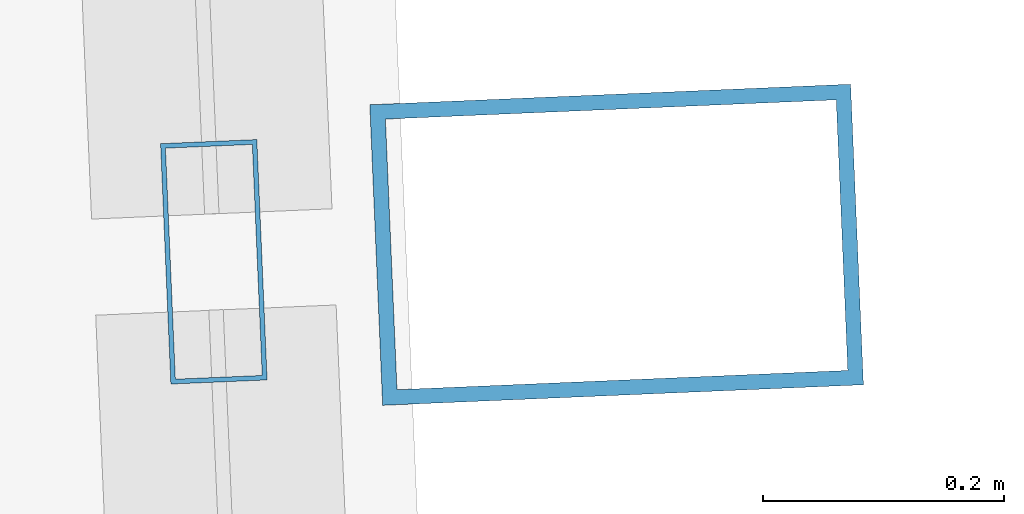
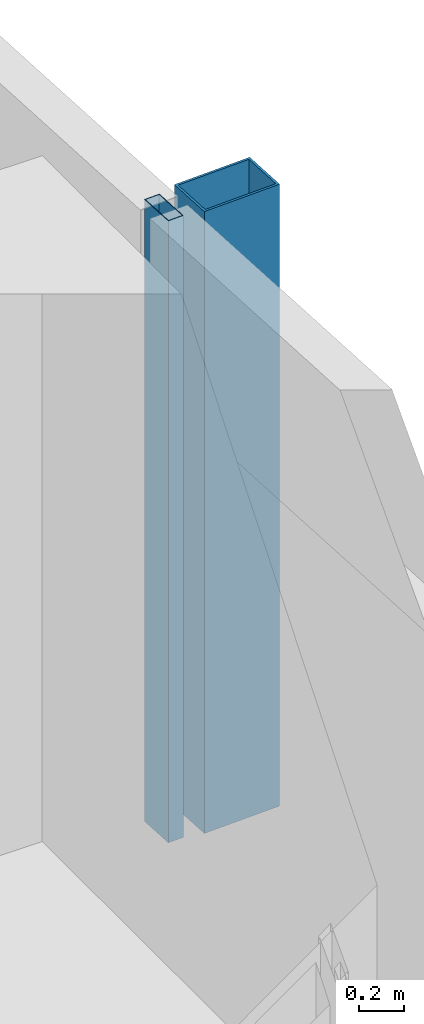
# One storey, part 29 of 44: 2 members, 1 element without a shape of its own.
"""IFC4 building model written with IfcOpenShell, lengths in metres."""

from ifc_helpers import new_model, si_unit, direction, frame, origin, origin_2d, place, context, subcontext, project, spatial, hollow_rectangle, extrude, material, material_profile, profile_set, type_object, element, aggregate, save


model = new_model("IFC4")

# Units and contexts
model_context = context("Model", 3, precision=1e-05, world=origin(), true_north=direction((0.0, 1.0)))
body_context = subcontext(model_context, "Body", "Model", "MODEL_VIEW")
ifc_project = project(units=[si_unit("LENGTHUNIT", "METRE"), si_unit("AREAUNIT", "SQUARE_METRE"), si_unit("VOLUMEUNIT", "CUBIC_METRE"), si_unit("PLANEANGLEUNIT", "RADIAN"), si_unit("MASSUNIT", "GRAM", prefix="KILO")], contexts=[model_context])

# Site, building, storey
site_placement = place(None, origin())
site = spatial("IfcSite", under=ifc_project, at=site_placement, CompositionType="ELEMENT")
building_placement = place(site_placement, origin())
building = spatial("IfcBuilding", under=site, at=building_placement, Name="Rekha Terrace Tower", CompositionType="ELEMENT")
storey_placement = place(building_placement, frame((0.0, 0.0, 81.64990234375)))
storey = spatial("IfcBuildingStorey", under=building, at=storey_placement, Name="L20", CompositionType="ELEMENT", Elevation=81.64990234375)

# Curtain wall, members
ifc_material_1 = material(Name="Aluminium framing", Category="aluminium")
curtain_wall_type = type_object("IfcCurtainWallType", Name="CW2 double skin outer glazing", PredefinedType="USERDEFINED", material=ifc_material_1)
curtain_wall_placement = place(storey_placement, origin())
curtain_wall = element("IfcCurtainWall", 1, at=curtain_wall_placement, inside=storey, type_object=curtain_wall_type, Name="CW2 double skin outer glazing", ObjectType="DOUBLE SKIN OUTER GLAZING", PredefinedType="USERDEFINED")
ifc_material_2 = material(Name="Steel S355 with fluorocarbon finish", Category="steel")
ifc_material_profile_1 = material_profile(ifc_material_2, hollow_rectangle(XDim=0.25, YDim=0.39990234375, WallThickness=0.012451171875, at=origin_2d()), Name="RHS400x250x12.5")
ifc_profile_set_1 = profile_set([ifc_material_profile_1], Name="Steel S355 with fluorocarbon finish")
member_type_1 = type_object("IfcMemberType", Name="BL1 facade blade RHS 400 x 250", PredefinedType="USERDEFINED", material=ifc_profile_set_1)
member_1_placement = place(storey_placement, frame((69.554443359375, 51.724609375, 0.0), z_axis=(0.0, 0.0, 1.0), x_axis=(-0.04269522475, 0.99908814315, 0.0)))
member_1 = element("IfcMember", 2, at=member_1_placement, type_object=member_type_1, Name="Facade blade", ObjectType="FACADE BLADE", PredefinedType="USERDEFINED", context=body_context, shape_type="SweptSolid", body=[
    extrude(hollow_rectangle(XDim=0.25, YDim=0.39990234375, WallThickness=0.012451171875, at=origin_2d()), origin(), (0.0, 0.0, 1.0), 3.400146484375),
])
ifc_material_3 = material(Name="Aluminium mullion section", Category="aluminium")
ifc_material_profile_2 = material_profile(ifc_material_3, hollow_rectangle(XDim=0.080078125, YDim=0.199951171875, WallThickness=0.00390625, at=origin_2d()), Name="AL RHS 80x200")
ifc_profile_set_2 = profile_set([ifc_material_profile_2], Name="Aluminium mullion section")
member_type_2 = type_object("IfcMemberType", Name="CW2 mullion RHS 80 x 200", PredefinedType="MULLION", material=ifc_profile_set_2)
member_2_placement = place(storey_placement, frame((69.2197265625, 51.71044921875, 0.0), z_axis=(0.0, 0.0, 1.0), x_axis=(-0.999088106903, -0.042696072956, 0.0)))
member_2 = element("IfcMember", 3, at=member_2_placement, type_object=member_type_2, Name="CW2 mullion 4", PredefinedType="MULLION", context=body_context, shape_type="SweptSolid", body=[
    extrude(hollow_rectangle(XDim=0.080078125, YDim=0.199951171875, WallThickness=0.00390625, at=origin_2d()), origin(), (0.0, 0.0, 1.0), 3.400146484375),
])
aggregate(curtain_wall, [member_2, member_1])

save(model, "model.ifc")
